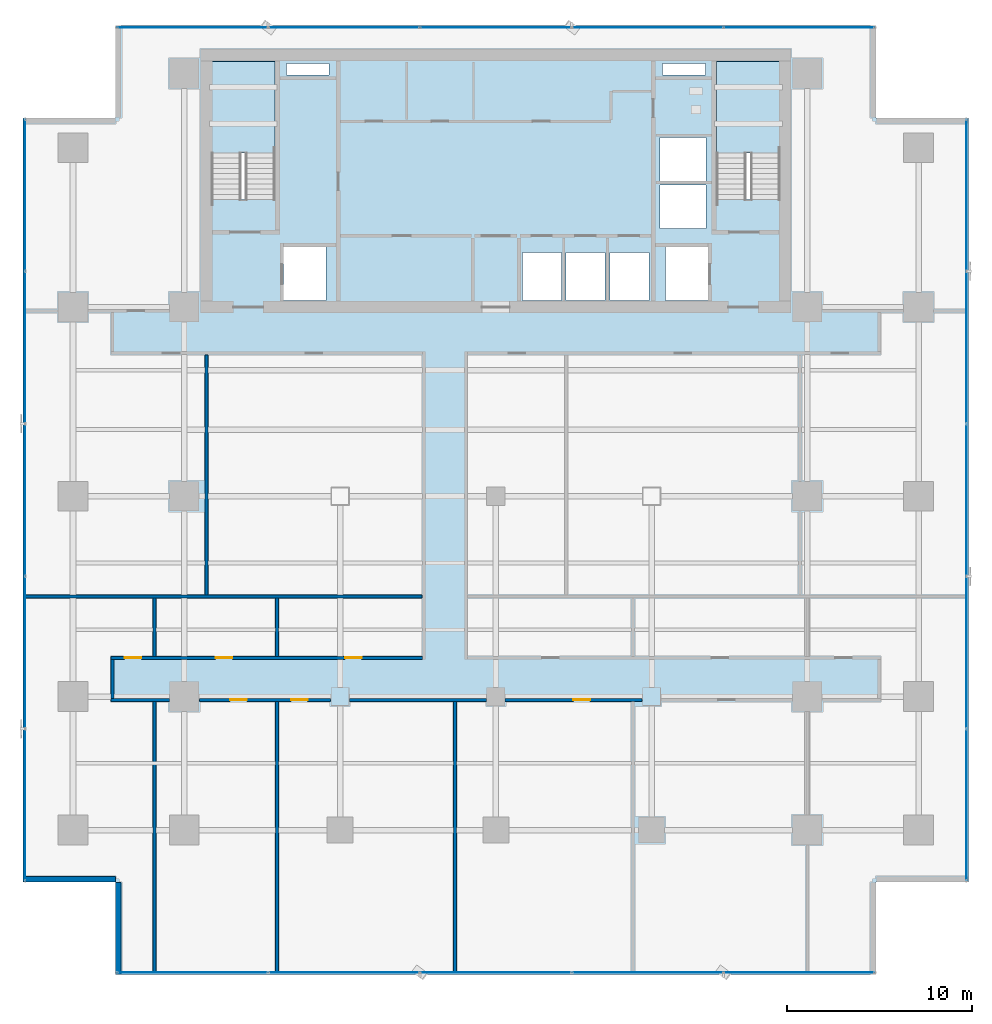
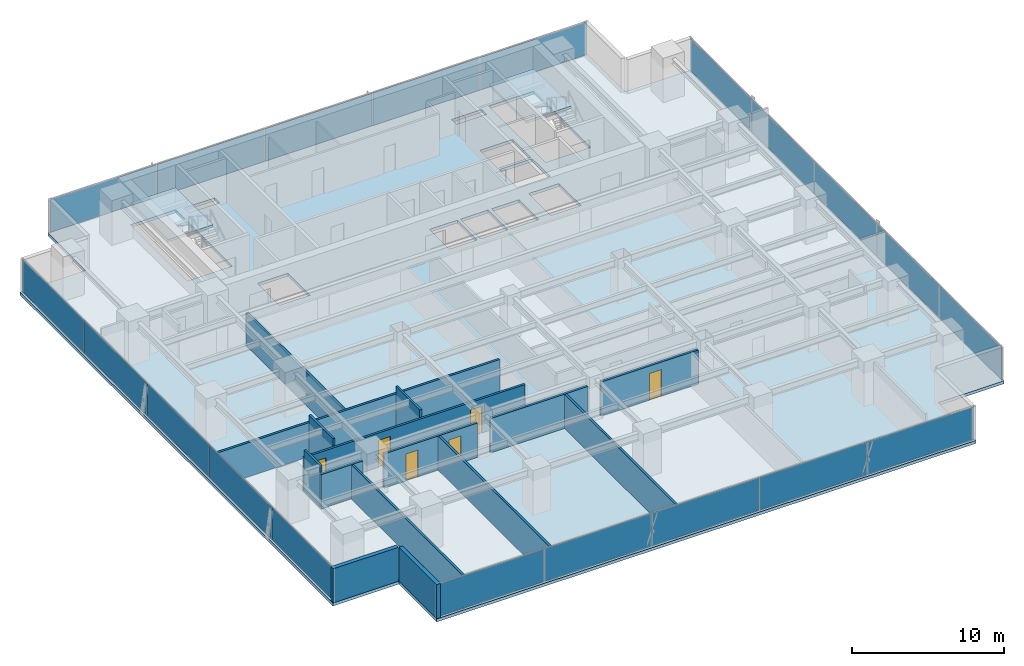
# One storey, part 27 of 37: 20 plates, 15 walls, 6 doors, 3 slabs, 6 openings, 6 elements without a shape of their own.
"""IFC4 building model written with IfcOpenShell, lengths in metres."""

from ifc_helpers import new_model, si_unit, direction, frame, frame_2d, origin, origin_2d, place, context, subcontext, project, spatial, polyline, rectangle, outline, extrude, source, transform, mapped, material, layer, layer_set, type_object, element, fill, aggregate, save


model = new_model("IFC4")

# Units and contexts
model_context = context("Model", 3, precision=1e-05, world=origin(), true_north=direction((0.0, 1.0)))
body_context = subcontext(model_context, "Body", "Model", "MODEL_VIEW")
ifc_project = project(units=[si_unit("LENGTHUNIT", "METRE"), si_unit("AREAUNIT", "SQUARE_METRE"), si_unit("VOLUMEUNIT", "CUBIC_METRE"), si_unit("PLANEANGLEUNIT", "RADIAN"), si_unit("MASSUNIT", "GRAM", prefix="KILO")], contexts=[model_context])

# Site, building, storey
site_placement = place(None, origin())
site = spatial("IfcSite", under=ifc_project, at=site_placement, CompositionType="ELEMENT")
building_placement = place(site_placement, origin())
building = spatial("IfcBuilding", under=site, at=building_placement, Name="Sumidabori Civic Tower", CompositionType="ELEMENT")
storey_placement = place(building_placement, frame((0.0, 0.0, 110.0)))
storey = spatial("IfcBuildingStorey", under=building, at=storey_placement, Name="L28", CompositionType="ELEMENT", Elevation=110.0)

# Stair, slab
ifc_material_1 = material(Name="Concrete C40/50", Category="concrete")
stair_type = type_object("IfcStairType", Name="ST-CORE-1600", PredefinedType="HALF_TURN_STAIR", material=ifc_material_1)
stair_1_placement = place(storey_placement, origin())
stair_1 = element("IfcStair", 1, at=stair_1_placement, inside=storey, type_object=stair_type, Name="L28 ST-1", PredefinedType="HALF_TURN_STAIR")
ifc_layer_1 = layer(ifc_material_1, 0.199951171875, Name="Concrete C40/50")
ifc_layer_set_1 = layer_set([ifc_layer_1], Name="Concrete C40/50")
slab_type_1 = type_object("IfcSlabType", Name="SL-LAND-200", PredefinedType="LANDING", material=ifc_layer_set_1)
slab_1_placement = place(storey_placement, frame((0.0, 0.0, 1.60009765625)))
slab_1 = element("IfcSlab", 2, at=slab_1_placement, type_object=slab_type_1, Name="ST-1 landing 1", PredefinedType="LANDING", context=body_context, shape_type="SweptSolid", body=[
    extrude(outline(polyline([(-11.89990234375, 18.52001953125), (-11.89990234375, 23.449951171875), (-15.340087890625, 23.449951171875), (-15.340087890625, 18.52001953125), (-11.89990234375, 18.52001953125)])), origin(), (0.0, 0.0, 1.0), 0.199951171875),
])
aggregate(stair_1, [slab_1])

stair_2_placement = place(storey_placement, origin())
stair_2 = element("IfcStair", 3, at=stair_2_placement, inside=storey, type_object=stair_type, Name="L28 ST-2", PredefinedType="HALF_TURN_STAIR")
slab_2_placement = place(storey_placement, frame((0.0, 0.0, 1.60009765625)))
slab_2 = element("IfcSlab", 4, at=slab_2_placement, type_object=slab_type_1, Name="ST-2 landing 1", PredefinedType="LANDING", context=body_context, shape_type="SweptSolid", body=[
    extrude(outline(polyline([(15.340087890625, 18.52001953125), (15.340087890625, 23.449951171875), (11.89990234375, 23.449951171875), (11.89990234375, 18.52001953125), (15.340087890625, 18.52001953125)])), origin(), (0.0, 0.0, 1.0), 0.199951171875),
])
aggregate(stair_2, [slab_2])

# Slab
ifc_layer_2 = layer(ifc_material_1, 0.239990234375, Name="Concrete C40/50")
ifc_layer_set_2 = layer_set([ifc_layer_2], Name="Concrete C40/50")
slab_type_2 = type_object("IfcSlabType", Name="SL-Z1-240", PredefinedType="FLOOR", material=ifc_layer_set_2)
slab_3_placement = place(storey_placement, frame((0.0, 0.0, -0.239990234375)))
element("IfcSlab", 5, at=slab_3_placement, inside=storey, type_object=slab_type_2, Name="Structural Slab L28", PredefinedType="FLOOR", context=body_context, shape_type="SweptSolid", body=[
    extrude(outline(polyline([(-20.5, -25.800048828125), (20.5, -25.800048828125), (20.5, -20.800048828125), (25.5, -20.800048828125), (25.5, 20.39990234375), (20.5, 20.39990234375), (20.5, 25.39990234375), (-20.5, 25.39990234375), (-20.5, 20.39990234375), (-25.5, 20.39990234375), (-25.5, -20.800048828125), (-20.5, -20.800048828125), (-20.5, -25.800048828125)]), holes=[polyline([(-11.89990234375, 16.0), (-11.89990234375, 23.449951171875), (-15.340087890625, 23.449951171875), (-15.340087890625, 16.0), (-11.89990234375, 16.0)]), polyline([(15.340087890625, 16.0), (15.340087890625, 23.449951171875), (11.89990234375, 23.449951171875), (11.89990234375, 16.0), (15.340087890625, 16.0)]), polyline([(-11.449951171875, 10.550048828125), (-9.14990234375, 10.550048828125), (-9.14990234375, 13.449951171875), (-11.449951171875, 13.449951171875), (-11.449951171875, 10.550048828125)]), polyline([(9.14990234375, 10.550048828125), (11.449951171875, 10.550048828125), (11.449951171875, 13.449951171875), (9.14990234375, 13.449951171875), (9.14990234375, 10.550048828125)]), polyline([(1.449951171875, 10.550048828125), (3.550048828125, 10.550048828125), (3.550048828125, 13.14990234375), (1.449951171875, 13.14990234375), (1.449951171875, 10.550048828125)]), polyline([(3.800048828125, 10.550048828125), (5.89990234375, 10.550048828125), (5.89990234375, 13.14990234375), (3.800048828125, 13.14990234375), (3.800048828125, 10.550048828125)]), polyline([(6.14990234375, 10.550048828125), (8.25, 10.550048828125), (8.25, 13.14990234375), (6.14990234375, 13.14990234375), (6.14990234375, 10.550048828125)]), polyline([(8.85009765625, 14.449951171875), (11.35009765625, 14.449951171875), (11.35009765625, 16.800048828125), (8.85009765625, 16.800048828125), (8.85009765625, 14.449951171875)]), polyline([(8.85009765625, 17.0), (11.35009765625, 17.0), (11.35009765625, 19.35009765625), (8.85009765625, 19.35009765625), (8.85009765625, 17.0)]), polyline([(-11.300048828125, 22.719970703125), (-9.0, 22.719970703125), (-9.0, 23.35009765625), (-11.300048828125, 23.35009765625), (-11.300048828125, 22.719970703125)]), polyline([(9.0, 22.719970703125), (11.300048828125, 22.719970703125), (11.300048828125, 23.35009765625), (9.0, 23.35009765625), (9.0, 22.719970703125)])]), origin(), (0.0, 0.0, 1.0), 0.239990234375),
])

# Curtain wall, plates
ifc_material_2 = material(Name="Anodised Bronze Aluminium AW-6063-T6", Category="aluminium")
ifc_layer_3 = layer(ifc_material_2, 0.179931640625, Name="Anodised Bronze Aluminium AW-6063-T6")
ifc_layer_set_3 = layer_set([ifc_layer_3], Name="Anodised Bronze Aluminium AW-6063-T6")
curtain_wall_type = type_object("IfcCurtainWallType", Name="CW-SYS-3", PredefinedType="NOTDEFINED", material=ifc_layer_set_3)
curtain_wall_1_placement = place(storey_placement, origin())
curtain_wall_1 = element("IfcCurtainWall", 6, at=curtain_wall_1_placement, inside=storey, type_object=curtain_wall_type, Name="Curtain Wall CW:L28:R01", PredefinedType="NOTDEFINED")
ifc_material_3 = material(Name="Low-E Solar-Control Vision Glazing", Category="glass")
ifc_layer_4 = layer(ifc_material_3, 0.028076171875, Name="Low-E Solar-Control Vision Glazing")
ifc_layer_set_4 = layer_set([ifc_layer_4], Name="Low-E Solar-Control Vision Glazing")
plate_type = type_object("IfcPlateType", Name="CW-PNL-28", PredefinedType="CURTAIN_PANEL", material=ifc_layer_set_4)
shared_shape_1 = source(origin(), body_context, "Body", "SweptSolid", [
    extrude(rectangle(XDim=8.090576171875, YDim=0.028076171875, at=origin_2d()), origin(), (0.0, 0.0, 1.0), 2.6201171875),
])
plate_1_placement = place(storey_placement, frame((-16.35986328125, -25.679931640625, 0.06005859375), z_axis=(0.0, 0.0, 1.0), x_axis=(1.0, 0.0, 0.0)))
plate_1 = element("IfcPlate", 7, at=plate_1_placement, type_object=plate_type, Name="CW-3 panel 1.1", PredefinedType="CURTAIN_PANEL", context=body_context, shape_type="MappedRepresentation", body=[
    mapped(shared_shape_1, transform((0.0, 0.0, 0.0), x_axis=(1.0, 0.0, 0.0), y_axis=(0.0, 1.0, 0.0), z_axis=(0.0, 0.0, 1.0), scale=1.0)),
])
plate_2_placement = place(storey_placement, frame((16.35986328125, -25.679931640625, 0.06005859375), z_axis=(0.0, 0.0, 1.0), x_axis=(1.0, 0.0, 0.0)))
plate_2 = element("IfcPlate", 8, at=plate_2_placement, type_object=plate_type, Name="CW-3 panel 5.1", PredefinedType="CURTAIN_PANEL", context=body_context, shape_type="MappedRepresentation", body=[
    mapped(shared_shape_1, transform((0.0, 0.0, 0.0), x_axis=(1.0, 0.0, 0.0), y_axis=(0.0, 1.0, 0.0), z_axis=(0.0, 0.0, 1.0), scale=1.0)),
])

curtain_wall_2_placement = place(storey_placement, origin())
curtain_wall_2 = element("IfcCurtainWall", 9, at=curtain_wall_2_placement, inside=storey, type_object=curtain_wall_type, Name="Curtain Wall CW:L28:R07", PredefinedType="NOTDEFINED")
plate_3_placement = place(storey_placement, frame((16.35986328125, 25.280029296875, 0.06005859375), z_axis=(0.0, 0.0, 1.0), x_axis=(-1.0, 0.0, 0.0)))
plate_3 = element("IfcPlate", 10, at=plate_3_placement, type_object=plate_type, Name="CW-3 panel 1.1", PredefinedType="CURTAIN_PANEL", context=body_context, shape_type="MappedRepresentation", body=[
    mapped(shared_shape_1, transform((0.0, 0.0, 0.0), x_axis=(1.0, 0.0, 0.0), y_axis=(0.0, 1.0, 0.0), z_axis=(0.0, 0.0, 1.0), scale=1.0)),
])
plate_4_placement = place(storey_placement, frame((-16.35986328125, 25.280029296875, 0.06005859375), z_axis=(0.0, 0.0, 1.0), x_axis=(-1.0, 0.0, 0.0)))
plate_4 = element("IfcPlate", 11, at=plate_4_placement, type_object=plate_type, Name="CW-3 panel 5.1", PredefinedType="CURTAIN_PANEL", context=body_context, shape_type="MappedRepresentation", body=[
    mapped(shared_shape_1, transform((0.0, 0.0, 0.0), x_axis=(1.0, 0.0, 0.0), y_axis=(0.0, 1.0, 0.0), z_axis=(0.0, 0.0, 1.0), scale=1.0)),
])

# Plate
shared_shape_2 = source(origin(), body_context, "Body", "SweptSolid", [
    extrude(rectangle(XDim=8.123046875, YDim=0.028076171875, at=origin_2d()), origin(), (0.0, 0.0, 1.0), 2.6201171875),
])
plate_5_placement = place(storey_placement, frame((-8.18798828125, -25.679931640625, 0.06005859375), z_axis=(0.0, 0.0, 1.0), x_axis=(1.0, 0.0, 0.0)))
plate_5 = element("IfcPlate", 12, at=plate_5_placement, type_object=plate_type, Name="CW-3 panel 2.1", PredefinedType="CURTAIN_PANEL", context=body_context, shape_type="MappedRepresentation", body=[
    mapped(shared_shape_2, transform((0.0, 0.0, 0.0), x_axis=(1.0, 0.0, 0.0), y_axis=(0.0, 1.0, 0.0), z_axis=(0.0, 0.0, 1.0), scale=1.0)),
])

plate_6_placement = place(storey_placement, frame((0.0, -25.679931640625, 0.06005859375), z_axis=(0.0, 0.0, 1.0), x_axis=(1.0, 0.0, 0.0)))
plate_6 = element("IfcPlate", 13, at=plate_6_placement, type_object=plate_type, Name="CW-3 panel 3.1", PredefinedType="CURTAIN_PANEL", context=body_context, shape_type="MappedRepresentation", body=[
    mapped(shared_shape_2, transform((0.0, 0.0, 0.0), x_axis=(1.0, 0.0, 0.0), y_axis=(0.0, 1.0, 0.0), z_axis=(0.0, 0.0, 1.0), scale=1.0)),
])

plate_7_placement = place(storey_placement, frame((8.18798828125, -25.679931640625, 0.06005859375), z_axis=(0.0, 0.0, 1.0), x_axis=(1.0, 0.0, 0.0)))
plate_7 = element("IfcPlate", 14, at=plate_7_placement, type_object=plate_type, Name="CW-3 panel 4.1", PredefinedType="CURTAIN_PANEL", context=body_context, shape_type="MappedRepresentation", body=[
    mapped(shared_shape_2, transform((0.0, 0.0, 0.0), x_axis=(1.0, 0.0, 0.0), y_axis=(0.0, 1.0, 0.0), z_axis=(0.0, 0.0, 1.0), scale=1.0)),
])

aggregate(curtain_wall_1, [plate_1, plate_5, plate_6, plate_7, plate_2])

plate_8_placement = place(storey_placement, frame((8.18798828125, 25.280029296875, 0.06005859375), z_axis=(0.0, 0.0, 1.0), x_axis=(-1.0, 0.0, 0.0)))
plate_8 = element("IfcPlate", 15, at=plate_8_placement, type_object=plate_type, Name="CW-3 panel 2.1", PredefinedType="CURTAIN_PANEL", context=body_context, shape_type="MappedRepresentation", body=[
    mapped(shared_shape_2, transform((0.0, 0.0, 0.0), x_axis=(1.0, 0.0, 0.0), y_axis=(0.0, 1.0, 0.0), z_axis=(0.0, 0.0, 1.0), scale=1.0)),
])

plate_9_placement = place(storey_placement, frame((0.0, 25.280029296875, 0.06005859375), z_axis=(0.0, 0.0, 1.0), x_axis=(-1.0, 0.0, 0.0)))
plate_9 = element("IfcPlate", 16, at=plate_9_placement, type_object=plate_type, Name="CW-3 panel 3.1", PredefinedType="CURTAIN_PANEL", context=body_context, shape_type="MappedRepresentation", body=[
    mapped(shared_shape_2, transform((0.0, 0.0, 0.0), x_axis=(1.0, 0.0, 0.0), y_axis=(0.0, 1.0, 0.0), z_axis=(0.0, 0.0, 1.0), scale=1.0)),
])

plate_10_placement = place(storey_placement, frame((-8.18798828125, 25.280029296875, 0.06005859375), z_axis=(0.0, 0.0, 1.0), x_axis=(-1.0, 0.0, 0.0)))
plate_10 = element("IfcPlate", 17, at=plate_10_placement, type_object=plate_type, Name="CW-3 panel 4.1", PredefinedType="CURTAIN_PANEL", context=body_context, shape_type="MappedRepresentation", body=[
    mapped(shared_shape_2, transform((0.0, 0.0, 0.0), x_axis=(1.0, 0.0, 0.0), y_axis=(0.0, 1.0, 0.0), z_axis=(0.0, 0.0, 1.0), scale=1.0)),
])

aggregate(curtain_wall_2, [plate_3, plate_8, plate_9, plate_10, plate_4])

# Curtain wall, plates
curtain_wall_3_placement = place(storey_placement, origin())
curtain_wall_3 = element("IfcCurtainWall", 18, at=curtain_wall_3_placement, inside=storey, type_object=curtain_wall_type, Name="Curtain Wall CW:L28:R04", PredefinedType="NOTDEFINED")
shared_shape_3 = source(origin(), body_context, "Body", "SweptSolid", [
    extrude(rectangle(XDim=8.130615234375, YDim=0.028076171875, at=origin_2d()), origin(), (0.0, 0.0, 1.0), 2.6201171875),
])
plate_11_placement = place(storey_placement, frame((25.3798828125, -16.6396484375, 0.06005859375), z_axis=(0.0, 0.0, 1.0), x_axis=(0.0, 1.0, 0.0)))
plate_11 = element("IfcPlate", 19, at=plate_11_placement, type_object=plate_type, Name="CW-3 panel 1.1", PredefinedType="CURTAIN_PANEL", context=body_context, shape_type="MappedRepresentation", body=[
    mapped(shared_shape_3, transform((0.0, 0.0, 0.0), x_axis=(1.0, 0.0, 0.0), y_axis=(0.0, 1.0, 0.0), z_axis=(0.0, 0.0, 1.0), scale=1.0)),
])
plate_12_placement = place(storey_placement, frame((25.3798828125, 16.23974609375, 0.06005859375), z_axis=(0.0, 0.0, 1.0), x_axis=(0.0, 1.0, 0.0)))
plate_12 = element("IfcPlate", 20, at=plate_12_placement, type_object=plate_type, Name="CW-3 panel 5.1", PredefinedType="CURTAIN_PANEL", context=body_context, shape_type="MappedRepresentation", body=[
    mapped(shared_shape_3, transform((0.0, 0.0, 0.0), x_axis=(1.0, 0.0, 0.0), y_axis=(0.0, 1.0, 0.0), z_axis=(0.0, 0.0, 1.0), scale=1.0)),
])

curtain_wall_4_placement = place(storey_placement, origin())
curtain_wall_4 = element("IfcCurtainWall", 21, at=curtain_wall_4_placement, inside=storey, type_object=curtain_wall_type, Name="Curtain Wall CW:L28:R10", PredefinedType="NOTDEFINED")
plate_13_placement = place(storey_placement, frame((-25.3798828125, 16.23974609375, 0.06005859375), z_axis=(0.0, 0.0, 1.0), x_axis=(0.0, -1.0, 0.0)))
plate_13 = element("IfcPlate", 22, at=plate_13_placement, type_object=plate_type, Name="CW-3 panel 1.1", PredefinedType="CURTAIN_PANEL", context=body_context, shape_type="MappedRepresentation", body=[
    mapped(shared_shape_3, transform((0.0, 0.0, 0.0), x_axis=(1.0, 0.0, 0.0), y_axis=(0.0, 1.0, 0.0), z_axis=(0.0, 0.0, 1.0), scale=1.0)),
])
plate_14_placement = place(storey_placement, frame((-25.3798828125, -16.6396484375, 0.06005859375), z_axis=(0.0, 0.0, 1.0), x_axis=(0.0, -1.0, 0.0)))
plate_14 = element("IfcPlate", 23, at=plate_14_placement, type_object=plate_type, Name="CW-3 panel 5.1", PredefinedType="CURTAIN_PANEL", context=body_context, shape_type="MappedRepresentation", body=[
    mapped(shared_shape_3, transform((0.0, 0.0, 0.0), x_axis=(1.0, 0.0, 0.0), y_axis=(0.0, 1.0, 0.0), z_axis=(0.0, 0.0, 1.0), scale=1.0)),
])

# Plate
shared_shape_4 = source(origin(), body_context, "Body", "SweptSolid", [
    extrude(rectangle(XDim=8.1630859375, YDim=0.028076171875, at=origin_2d()), origin(), (0.0, 0.0, 1.0), 2.6201171875),
])
plate_15_placement = place(storey_placement, frame((25.3798828125, -8.427978515625, 0.06005859375), z_axis=(0.0, 0.0, 1.0), x_axis=(0.0, 1.0, 0.0)))
plate_15 = element("IfcPlate", 24, at=plate_15_placement, type_object=plate_type, Name="CW-3 panel 2.1", PredefinedType="CURTAIN_PANEL", context=body_context, shape_type="MappedRepresentation", body=[
    mapped(shared_shape_4, transform((0.0, 0.0, 0.0), x_axis=(1.0, 0.0, 0.0), y_axis=(0.0, 1.0, 0.0), z_axis=(0.0, 0.0, 1.0), scale=1.0)),
])

plate_16_placement = place(storey_placement, frame((25.3798828125, -0.199951171875, 0.06005859375), z_axis=(0.0, 0.0, 1.0), x_axis=(0.0, 1.0, 0.0)))
plate_16 = element("IfcPlate", 25, at=plate_16_placement, type_object=plate_type, Name="CW-3 panel 3.1", PredefinedType="CURTAIN_PANEL", context=body_context, shape_type="MappedRepresentation", body=[
    mapped(shared_shape_4, transform((0.0, 0.0, 0.0), x_axis=(1.0, 0.0, 0.0), y_axis=(0.0, 1.0, 0.0), z_axis=(0.0, 0.0, 1.0), scale=1.0)),
])

plate_17_placement = place(storey_placement, frame((25.3798828125, 8.028076171875, 0.06005859375), z_axis=(0.0, 0.0, 1.0), x_axis=(0.0, 1.0, 0.0)))
plate_17 = element("IfcPlate", 26, at=plate_17_placement, type_object=plate_type, Name="CW-3 panel 4.1", PredefinedType="CURTAIN_PANEL", context=body_context, shape_type="MappedRepresentation", body=[
    mapped(shared_shape_4, transform((0.0, 0.0, 0.0), x_axis=(1.0, 0.0, 0.0), y_axis=(0.0, 1.0, 0.0), z_axis=(0.0, 0.0, 1.0), scale=1.0)),
])

aggregate(curtain_wall_3, [plate_11, plate_15, plate_16, plate_17, plate_12])

plate_18_placement = place(storey_placement, frame((-25.3798828125, 8.028076171875, 0.06005859375), z_axis=(0.0, 0.0, 1.0), x_axis=(0.0, -1.0, 0.0)))
plate_18 = element("IfcPlate", 27, at=plate_18_placement, type_object=plate_type, Name="CW-3 panel 2.1", PredefinedType="CURTAIN_PANEL", context=body_context, shape_type="MappedRepresentation", body=[
    mapped(shared_shape_4, transform((0.0, 0.0, 0.0), x_axis=(1.0, 0.0, 0.0), y_axis=(0.0, 1.0, 0.0), z_axis=(0.0, 0.0, 1.0), scale=1.0)),
])

plate_19_placement = place(storey_placement, frame((-25.3798828125, -0.199951171875, 0.06005859375), z_axis=(0.0, 0.0, 1.0), x_axis=(0.0, -1.0, 0.0)))
plate_19 = element("IfcPlate", 28, at=plate_19_placement, type_object=plate_type, Name="CW-3 panel 3.1", PredefinedType="CURTAIN_PANEL", context=body_context, shape_type="MappedRepresentation", body=[
    mapped(shared_shape_4, transform((0.0, 0.0, 0.0), x_axis=(1.0, 0.0, 0.0), y_axis=(0.0, 1.0, 0.0), z_axis=(0.0, 0.0, 1.0), scale=1.0)),
])

plate_20_placement = place(storey_placement, frame((-25.3798828125, -8.427978515625, 0.06005859375), z_axis=(0.0, 0.0, 1.0), x_axis=(0.0, -1.0, 0.0)))
plate_20 = element("IfcPlate", 29, at=plate_20_placement, type_object=plate_type, Name="CW-3 panel 4.1", PredefinedType="CURTAIN_PANEL", context=body_context, shape_type="MappedRepresentation", body=[
    mapped(shared_shape_4, transform((0.0, 0.0, 0.0), x_axis=(1.0, 0.0, 0.0), y_axis=(0.0, 1.0, 0.0), z_axis=(0.0, 0.0, 1.0), scale=1.0)),
])

aggregate(curtain_wall_4, [plate_13, plate_18, plate_19, plate_20, plate_14])

# Walls
ifc_material_4 = material(Name="Precast concrete C40/50", Category="concrete")
ifc_layer_5 = layer(ifc_material_4, 0.300048828125, Name="Precast concrete C40/50")
ifc_layer_set_5 = layer_set([ifc_layer_5], Name="Precast concrete C40/50")
wall_type_1 = type_object("IfcWallType", Name="WL-EXT-POD300", PredefinedType="STANDARD", material=ifc_layer_set_5)
shared_shape_5 = source(origin(), body_context, "Body", "SweptSolid", [
    extrude(rectangle(XDim=4.9599609375, YDim=0.300048828125, at=frame_2d((2.47998046875, 0.0))), origin(), (0.0, 0.0, 1.0), 2.739990234375),
])
for number, where, z_axis, x_axis, name in (
    (30, (-25.47998046875, -20.64990234375, 0.0), (0.0, 0.0, 1.0), (1.0, 0.0, 0.0), "Notched Corner Spandrel Band L28-11"),
    (31, (-20.35009765625, -20.820068359375, 0.0), (0.0, 0.0, 1.0), (0.0, -1.0, 0.0), "Notched Corner Spandrel Band L28-12"),
):
    element("IfcWall", number, at=place(storey_placement, frame(where, z_axis=z_axis, x_axis=x_axis)), inside=storey, type_object=wall_type_1, Name=name, PredefinedType="STANDARD", context=body_context, shape_type="MappedRepresentation", body=[
        mapped(shared_shape_5, transform((0.0, 0.0, 0.0), x_axis=(1.0, 0.0, 0.0), y_axis=(0.0, 1.0, 0.0), z_axis=(0.0, 0.0, 1.0), scale=1.0)),
    ])
ifc_material_5 = material(Name="Gypsum Plasterboard Acoustic Partition")
ifc_layer_6 = layer(ifc_material_5, 0.1650390625, Name="Gypsum Plasterboard Acoustic Partition")
ifc_layer_set_6 = layer_set([ifc_layer_6], Name="Gypsum Plasterboard Acoustic Partition")
wall_type_2 = type_object("IfcWallType", Name="WL-PART-165", PredefinedType="PARTITIONING", material=ifc_layer_set_6)
shared_shape_6 = source(origin(), body_context, "Body", "SweptSolid", [
    extrude(rectangle(XDim=12.9423828125, YDim=0.1650390625, at=frame_2d((6.47119140625, 0.0))), origin(), (0.0, 0.0, 1.0), 2.64501953125),
])
wall_1_placement = place(storey_placement, frame((-15.60009765625, -5.3125, 0.0), z_axis=(0.0, 0.0, 1.0), x_axis=(0.0, 1.0, 0.0)))
element("IfcWall", 32, at=wall_1_placement, inside=storey, type_object=wall_type_2, Name="Interior Partition WL:L28:VX-N1", PredefinedType="PARTITIONING", context=body_context, shape_type="MappedRepresentation", body=[
    mapped(shared_shape_6, transform((0.0, 0.0, 0.0), x_axis=(1.0, 0.0, 0.0), y_axis=(0.0, 1.0, 0.0), z_axis=(0.0, 0.0, 1.0), scale=1.0)),
])

# Wall, openings, doors
shared_shape_7 = source(origin(), body_context, "Body", "SweptSolid", [
    extrude(rectangle(XDim=16.7998046875, YDim=0.1650390625, at=frame_2d((8.39990234375, 0.0))), origin(), (0.0, 0.0, 1.0), 2.7451171875),
])
wall_2_placement = place(storey_placement, frame((-20.764892578125, -8.717529296875, 0.0), z_axis=(0.0, 0.0, 1.0), x_axis=(1.0, 0.0, 0.0)))
wall_2 = element("IfcWall", 33, at=wall_2_placement, inside=storey, type_object=wall_type_2, Name="Interior Partition WL:L28:CORR-MNW", PredefinedType="PARTITIONING", context=body_context, shape_type="MappedRepresentation", body=[
    mapped(shared_shape_7, transform((0.0, 0.0, 0.0), x_axis=(1.0, 0.0, 0.0), y_axis=(0.0, 1.0, 0.0), z_axis=(0.0, 0.0, 1.0), scale=1.0)),
])
opening_1_placement = place(wall_2_placement, frame((5.655029296875, 0.0, 0.0)))
opening_1 = element("IfcOpeningElement", 34, at=opening_1_placement, cuts=wall_2, Name="Opening DR-1", PredefinedType="OPENING", context=body_context, shape_type="SweptSolid", body=[
    extrude(rectangle(XDim=0.89990234375, YDim=2.14990234375, at=frame_2d((0.449951171875, 1.074951171875))), frame((0.0, 0.094482421875, 0.0), z_axis=(0.0, -1.0, 0.0), x_axis=(1.0, 0.0, 0.0)), (0.0, 0.0, 1.0), 0.18896484375),
])
opening_2_placement = place(wall_2_placement, frame((12.6337890625, 0.0, 0.0)))
opening_2 = element("IfcOpeningElement", 35, at=opening_2_placement, cuts=wall_2, Name="Opening DR-1", PredefinedType="OPENING", context=body_context, shape_type="SweptSolid", body=[
    extrude(rectangle(XDim=0.89990234375, YDim=2.14990234375, at=frame_2d((0.449951171875, 1.074951171875))), frame((0.0, 0.094482421875, 0.0), z_axis=(0.0, -1.0, 0.0), x_axis=(1.0, 0.0, 0.0)), (0.0, 0.0, 1.0), 0.18896484375),
])
opening_3_placement = place(wall_2_placement, frame((0.75390625, 0.0, 0.0)))
opening_3 = element("IfcOpeningElement", 36, at=opening_3_placement, cuts=wall_2, Name="Opening DR-1", PredefinedType="OPENING", context=body_context, shape_type="SweptSolid", body=[
    extrude(rectangle(XDim=0.89990234375, YDim=2.14990234375, at=frame_2d((0.449951171875, 1.074951171875))), frame((0.0, 0.094482421875, 0.0), z_axis=(0.0, -1.0, 0.0), x_axis=(1.0, 0.0, 0.0)), (0.0, 0.0, 1.0), 0.18896484375),
])
ifc_material_6 = material(Name="Japanese Hinoki Timber", Category="wood")
door_type = type_object("IfcDoorType", Name="DR-INT-900", OperationType="NOTDEFINED", PredefinedType="DOOR", material=ifc_material_6)
shared_shape_8 = source(origin(), body_context, "Body", "SweptSolid", [
    extrude(rectangle(XDim=0.89990234375, YDim=2.14990234375, at=frame_2d((0.449951171875, 1.074951171875))), frame((0.0, 0.02490234375, 0.0), z_axis=(0.0, -1.0, 0.0), x_axis=(1.0, 0.0, 0.0)), (0.0, 0.0, 1.0), 0.050048828125),
])
door_1_placement = place(opening_1_placement, origin())
door_1 = element("IfcDoor", 37, at=door_1_placement, inside=storey, type_object=door_type, Name="Door DR:L28:D07", OperationType="SINGLE_SWING_LEFT", OverallHeight=2.14990234375, OverallWidth=0.89990234375, PredefinedType="DOOR", context=body_context, shape_type="MappedRepresentation", body=[
    mapped(shared_shape_8, transform((0.0, 0.0, 0.0), x_axis=(1.0, 0.0, 0.0), y_axis=(0.0, 1.0, 0.0), z_axis=(0.0, 0.0, 1.0), scale=1.0)),
])
fill(opening_1, door_1)
door_2_placement = place(opening_2_placement, origin())
door_2 = element("IfcDoor", 38, at=door_2_placement, inside=storey, type_object=door_type, Name="Door DR:L28:D08", OperationType="SINGLE_SWING_RIGHT", OverallHeight=2.14990234375, OverallWidth=0.89990234375, PredefinedType="DOOR", context=body_context, shape_type="MappedRepresentation", body=[
    mapped(shared_shape_8, transform((0.0, 0.0, 0.0), x_axis=(1.0, 0.0, 0.0), y_axis=(0.0, 1.0, 0.0), z_axis=(0.0, 0.0, 1.0), scale=1.0)),
])
fill(opening_2, door_2)
door_3_placement = place(opening_3_placement, origin())
door_3 = element("IfcDoor", 39, at=door_3_placement, inside=storey, type_object=door_type, Name="Door DR:L28:D11", OperationType="SINGLE_SWING_LEFT", OverallHeight=2.14990234375, OverallWidth=0.89990234375, PredefinedType="DOOR", context=body_context, shape_type="MappedRepresentation", body=[
    mapped(shared_shape_8, transform((0.0, 0.0, 0.0), x_axis=(1.0, 0.0, 0.0), y_axis=(0.0, 1.0, 0.0), z_axis=(0.0, 0.0, 1.0), scale=1.0)),
])
fill(opening_3, door_3)

# Wall
shared_shape_9 = source(origin(), body_context, "Body", "SweptSolid", [
    extrude(rectangle(XDim=3.15478515625, YDim=0.1650390625, at=frame_2d((1.577392578125, 0.0))), origin(), (0.0, 0.0, 1.0), 2.7451171875),
])
wall_3_placement = place(storey_placement, frame((-20.764892578125, -10.982421875, 0.0), z_axis=(0.0, 0.0, 1.0), x_axis=(1.0, 0.0, 0.0)))
element("IfcWall", 40, at=wall_3_placement, inside=storey, type_object=wall_type_2, Name="Interior Partition WL:L28:CORR-SS-1", PredefinedType="PARTITIONING", context=body_context, shape_type="MappedRepresentation", body=[
    mapped(shared_shape_9, transform((0.0, 0.0, 0.0), x_axis=(1.0, 0.0, 0.0), y_axis=(0.0, 1.0, 0.0), z_axis=(0.0, 0.0, 1.0), scale=1.0)),
])

# Wall, openings, doors
shared_shape_10 = source(origin(), body_context, "Body", "SweptSolid", [
    extrude(rectangle(XDim=7.080078125, YDim=0.1650390625, at=frame_2d((3.5400390625, 0.0))), origin(), (0.0, 0.0, 1.0), 2.7451171875),
])
wall_4_placement = place(storey_placement, frame((-15.989990234375, -10.982421875, 0.0), z_axis=(0.0, 0.0, 1.0), x_axis=(1.0, 0.0, 0.0)))
wall_4 = element("IfcWall", 41, at=wall_4_placement, inside=storey, type_object=wall_type_2, Name="Interior Partition WL:L28:CORR-SS-2", PredefinedType="PARTITIONING", context=body_context, shape_type="MappedRepresentation", body=[
    mapped(shared_shape_10, transform((0.0, 0.0, 0.0), x_axis=(1.0, 0.0, 0.0), y_axis=(0.0, 1.0, 0.0), z_axis=(0.0, 0.0, 1.0), scale=1.0)),
])
opening_4_placement = place(wall_4_placement, frame((1.663818359375, 0.0, 0.0)))
opening_4 = element("IfcOpeningElement", 42, at=opening_4_placement, cuts=wall_4, Name="Opening DR-1", PredefinedType="OPENING", context=body_context, shape_type="SweptSolid", body=[
    extrude(rectangle(XDim=0.89990234375, YDim=2.14990234375, at=frame_2d((0.449951171875, 1.074951171875))), frame((0.0, 0.094482421875, 0.0), z_axis=(0.0, -1.0, 0.0), x_axis=(1.0, 0.0, 0.0)), (0.0, 0.0, 1.0), 0.18896484375),
])
opening_5_placement = place(wall_4_placement, frame((4.9462890625, 0.0, 0.0)))
opening_5 = element("IfcOpeningElement", 43, at=opening_5_placement, cuts=wall_4, Name="Opening DR-1", PredefinedType="OPENING", context=body_context, shape_type="SweptSolid", body=[
    extrude(rectangle(XDim=0.89990234375, YDim=2.14990234375, at=frame_2d((0.449951171875, 1.074951171875))), frame((0.0, 0.094482421875, 0.0), z_axis=(0.0, -1.0, 0.0), x_axis=(1.0, 0.0, 0.0)), (0.0, 0.0, 1.0), 0.18896484375),
])
door_4_placement = place(opening_4_placement, origin())
door_4 = element("IfcDoor", 44, at=door_4_placement, inside=storey, type_object=door_type, Name="Door DR:L28:D13", OperationType="SINGLE_SWING_LEFT", OverallHeight=2.14990234375, OverallWidth=0.89990234375, PredefinedType="DOOR", context=body_context, shape_type="MappedRepresentation", body=[
    mapped(shared_shape_8, transform((0.0, 0.0, 0.0), x_axis=(1.0, 0.0, 0.0), y_axis=(0.0, 1.0, 0.0), z_axis=(0.0, 0.0, 1.0), scale=1.0)),
])
fill(opening_4, door_4)
door_5_placement = place(opening_5_placement, origin())
door_5 = element("IfcDoor", 45, at=door_5_placement, inside=storey, type_object=door_type, Name="Door DR:L28:D14", OperationType="SINGLE_SWING_RIGHT", OverallHeight=2.14990234375, OverallWidth=0.89990234375, PredefinedType="DOOR", context=body_context, shape_type="MappedRepresentation", body=[
    mapped(shared_shape_8, transform((0.0, 0.0, 0.0), x_axis=(1.0, 0.0, 0.0), y_axis=(0.0, 1.0, 0.0), z_axis=(0.0, 0.0, 1.0), scale=1.0)),
])
fill(opening_5, door_5)

# Wall
shared_shape_11 = source(origin(), body_context, "Body", "SweptSolid", [
    extrude(rectangle(XDim=7.3798828125, YDim=0.1650390625, at=frame_2d((3.68994140625, 0.0))), origin(), (0.0, 0.0, 1.0), 2.7451171875),
])
wall_5_placement = place(storey_placement, frame((-7.889892578125, -10.982421875, 0.0), z_axis=(0.0, 0.0, 1.0), x_axis=(1.0, 0.0, 0.0)))
element("IfcWall", 46, at=wall_5_placement, inside=storey, type_object=wall_type_2, Name="Interior Partition WL:L28:CORR-SS-3", PredefinedType="PARTITIONING", context=body_context, shape_type="MappedRepresentation", body=[
    mapped(shared_shape_11, transform((0.0, 0.0, 0.0), x_axis=(1.0, 0.0, 0.0), y_axis=(0.0, 1.0, 0.0), z_axis=(0.0, 0.0, 1.0), scale=1.0)),
])

# Wall, opening, door
wall_6_placement = place(storey_placement, frame((0.510009765625, -10.982421875, 0.0), z_axis=(0.0, 0.0, 1.0), x_axis=(1.0, 0.0, 0.0)))
wall_6 = element("IfcWall", 47, at=wall_6_placement, inside=storey, type_object=wall_type_2, Name="Interior Partition WL:L28:CORR-SS-4", PredefinedType="PARTITIONING", context=body_context, shape_type="MappedRepresentation", body=[
    mapped(shared_shape_11, transform((0.0, 0.0, 0.0), x_axis=(1.0, 0.0, 0.0), y_axis=(0.0, 1.0, 0.0), z_axis=(0.0, 0.0, 1.0), scale=1.0)),
])
opening_6_placement = place(wall_6_placement, frame((3.673828125, 0.0, 0.0)))
opening_6 = element("IfcOpeningElement", 48, at=opening_6_placement, cuts=wall_6, Name="Opening DR-1", PredefinedType="OPENING", context=body_context, shape_type="SweptSolid", body=[
    extrude(rectangle(XDim=0.89990234375, YDim=2.14990234375, at=frame_2d((0.449951171875, 1.074951171875))), frame((0.0, 0.094482421875, 0.0), z_axis=(0.0, -1.0, 0.0), x_axis=(1.0, 0.0, 0.0)), (0.0, 0.0, 1.0), 0.18896484375),
])
door_6_placement = place(opening_6_placement, origin())
door_6 = element("IfcDoor", 49, at=door_6_placement, inside=storey, type_object=door_type, Name="Door DR:L28:D15", OperationType="SINGLE_SWING_LEFT", OverallHeight=2.14990234375, OverallWidth=0.89990234375, PredefinedType="DOOR", context=body_context, shape_type="MappedRepresentation", body=[
    mapped(shared_shape_8, transform((0.0, 0.0, 0.0), x_axis=(1.0, 0.0, 0.0), y_axis=(0.0, 1.0, 0.0), z_axis=(0.0, 0.0, 1.0), scale=1.0)),
])
fill(opening_6, door_6)

# Walls
shared_shape_12 = source(origin(), body_context, "Body", "SweptSolid", [
    extrude(rectangle(XDim=2.090087890625, YDim=0.1650390625, at=frame_2d((1.044921875, 0.0))), origin(), (0.0, 0.0, 1.0), 3.360107421875),
])
wall_7_placement = place(storey_placement, frame((-20.6826171875, -10.89501953125, 0.0), z_axis=(0.0, 0.0, 1.0), x_axis=(0.0, 1.0, 0.0)))
element("IfcWall", 50, at=wall_7_placement, inside=storey, type_object=wall_type_2, Name="Interior Partition WL:L28:CORR-VSW", PredefinedType="PARTITIONING", context=body_context, shape_type="MappedRepresentation", body=[
    mapped(shared_shape_12, transform((0.0, 0.0, 0.0), x_axis=(1.0, 0.0, 0.0), y_axis=(0.0, 1.0, 0.0), z_axis=(0.0, 0.0, 1.0), scale=1.0)),
])
shared_shape_13 = source(origin(), body_context, "Body", "SweptSolid", [
    extrude(rectangle(XDim=21.380126953125, YDim=0.1650390625, at=frame_2d((10.68994140625, 0.0))), origin(), (0.0, 0.0, 1.0), 2.7451171875),
])
wall_8_placement = place(storey_placement, frame((-25.35009765625, -5.39990234375, 0.0), z_axis=(0.0, 0.0, 1.0), x_axis=(1.0, 0.0, 0.0)))
element("IfcWall", 51, at=wall_8_placement, inside=storey, type_object=wall_type_2, Name="Interior Partition WL:L28:BAND-Y-1", PredefinedType="PARTITIONING", context=body_context, shape_type="MappedRepresentation", body=[
    mapped(shared_shape_13, transform((0.0, 0.0, 0.0), x_axis=(1.0, 0.0, 0.0), y_axis=(0.0, 1.0, 0.0), z_axis=(0.0, 0.0, 1.0), scale=1.0)),
])
shared_shape_14 = source(origin(), body_context, "Body", "SweptSolid", [
    extrude(rectangle(XDim=14.579833984375, YDim=0.1650390625, at=frame_2d((7.2900390625, 0.0))), origin(), (0.0, 0.0, 1.0), 2.7451171875),
])
for number, where, z_axis, x_axis, name in (
    (52, (-18.39990234375, -25.64990234375, 0.0), (0.0, 0.0, 1.0), (0.0, 1.0, 0.0), "Interior Partition WL:L28:VX-S1-1"),
    (53, (-11.800048828125, -25.64990234375, 0.0), (0.0, 0.0, 1.0), (0.0, 1.0, 0.0), "Interior Partition WL:L28:VX-S2-1"),
    (54, (-2.199951171875, -25.64990234375, 0.0), (0.0, 0.0, 1.0), (0.0, 1.0, 0.0), "Interior Partition WL:L28:VX-S3"),
):
    element("IfcWall", number, at=place(storey_placement, frame(where, z_axis=z_axis, x_axis=x_axis)), inside=storey, type_object=wall_type_2, Name=name, PredefinedType="PARTITIONING", context=body_context, shape_type="MappedRepresentation", body=[
        mapped(shared_shape_14, transform((0.0, 0.0, 0.0), x_axis=(1.0, 0.0, 0.0), y_axis=(0.0, 1.0, 0.0), z_axis=(0.0, 0.0, 1.0), scale=1.0)),
    ])
shared_shape_15 = source(origin(), body_context, "Body", "SweptSolid", [
    extrude(rectangle(XDim=3.142333984375, YDim=0.1650390625, at=frame_2d((1.5712890625, 0.0))), origin(), (0.0, 0.0, 1.0), 3.360107421875),
])
for number, where, z_axis, x_axis, name in (
    (55, (-18.39990234375, -8.6298828125, 0.0), (0.0, 0.0, 1.0), (0.0, 1.0, 0.0), "Interior Partition WL:L28:VX-S1-2"),
    (56, (-11.800048828125, -8.6298828125, 0.0), (0.0, 0.0, 1.0), (0.0, 1.0, 0.0), "Interior Partition WL:L28:VX-S2-2"),
):
    element("IfcWall", number, at=place(storey_placement, frame(where, z_axis=z_axis, x_axis=x_axis)), inside=storey, type_object=wall_type_2, Name=name, PredefinedType="PARTITIONING", context=body_context, shape_type="MappedRepresentation", body=[
        mapped(shared_shape_15, transform((0.0, 0.0, 0.0), x_axis=(1.0, 0.0, 0.0), y_axis=(0.0, 1.0, 0.0), z_axis=(0.0, 0.0, 1.0), scale=1.0)),
    ])

save(model, "model.ifc")
